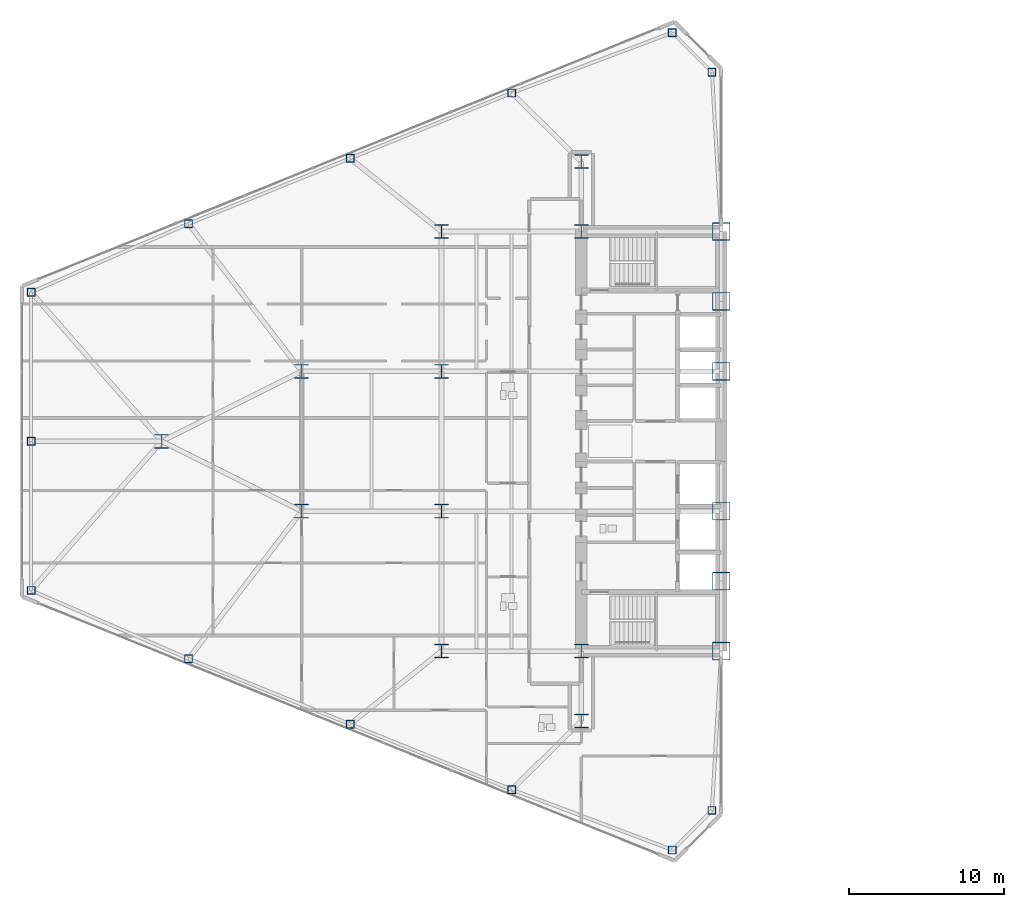
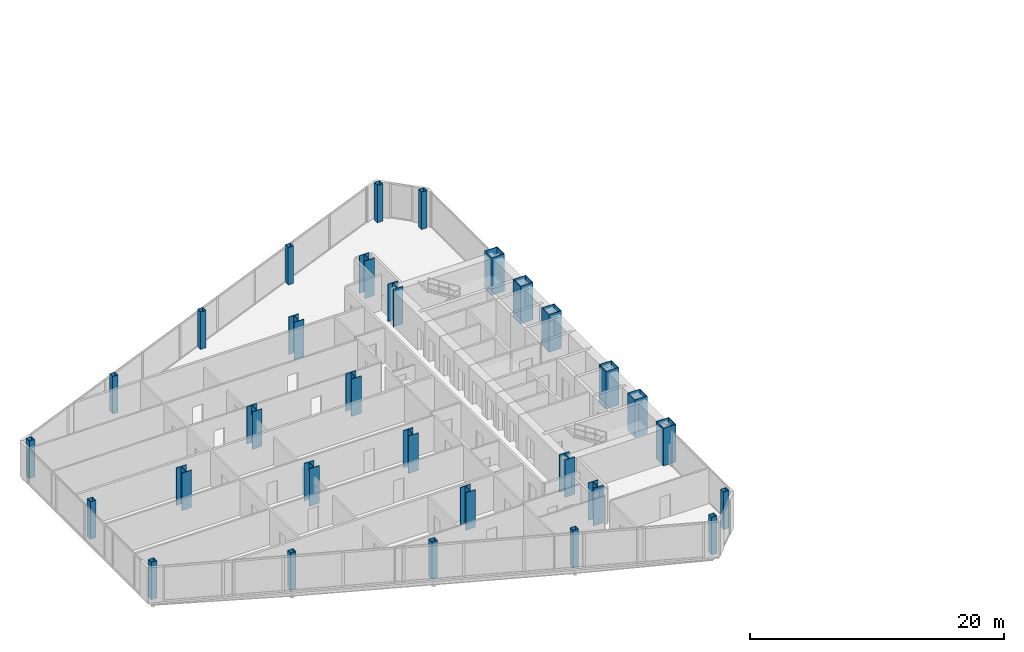
# One storey, part 1 of 25: 30 columns.
"""IFC4 building model written with IfcOpenShell, lengths in metres."""

from ifc_helpers import new_model, si_unit, direction, frame, origin, origin_2d, place, context, subcontext, project, spatial, hollow_rectangle, i_section, extrude, source, transform, mapped, material, material_profile, profile_set, type_object, type_shapes, element, save


model = new_model("IFC4")

# Units and contexts
model_context = context("Model", 3, precision=1e-05, world=origin(), true_north=direction((0.0, 1.0)))
body_context = subcontext(model_context, "Body", "Model", "MODEL_VIEW")
ifc_project = project(units=[si_unit("LENGTHUNIT", "METRE"), si_unit("AREAUNIT", "SQUARE_METRE"), si_unit("VOLUMEUNIT", "CUBIC_METRE"), si_unit("PLANEANGLEUNIT", "RADIAN"), si_unit("MASSUNIT", "GRAM", prefix="KILO")], contexts=[model_context])

# Site, building, storey
site_placement = place(None, origin())
site = spatial("IfcSite", under=ifc_project, at=site_placement, CompositionType="ELEMENT")
building_placement = place(site_placement, origin())
building = spatial("IfcBuilding", under=site, at=building_placement, Name="Seokmaru Belvedere", CompositionType="ELEMENT")
storey_placement = place(building_placement, frame((0.0, 0.0, 58.5)))
storey = spatial("IfcBuildingStorey", under=building, at=storey_placement, Name="L15", CompositionType="ELEMENT", Elevation=58.5)

# Columns
ifc_material_1 = material(Name="Steel HSA650 (650 MPa)", Category="steel")
ifc_material_profile_1 = material_profile(ifc_material_1, hollow_rectangle(XDim=1.14990234375, YDim=1.14990234375, WallThickness=0.048095703125, at=origin_2d()), Name="BOX-1150x1150x48")
ifc_profile_set_1 = profile_set([ifc_material_profile_1], Name="Steel HSA650 (650 MPa)")
column_type_1 = type_object("IfcColumnType", Name="Portal Spine Column BOX-1150", PredefinedType="COLUMN", material=ifc_profile_set_1)
shared_shape_1 = source(origin(), body_context, "Body", "SweptSolid", [
    extrude(hollow_rectangle(XDim=1.14990234375, YDim=1.14990234375, WallThickness=0.048095703125, at=origin_2d()), origin(), (0.0, 0.0, 1.0), 3.60009765625),
])
type_shapes(column_type_1, [shared_shape_1])
for number, where, z_axis, x_axis, name in (
    (1, (-27.5, -13.5, 0.0), (0.0, 0.0, 1.0), (1.0, 0.0, 0.0), "L15 Column WS1"),
    (2, (-27.5, -9.0, 0.0), (0.0, 0.0, 1.0), (1.0, 0.0, 0.0), "L15 Column WS2"),
    (3, (-27.5, -4.5, 0.0), (0.0, 0.0, 1.0), (1.0, 0.0, 0.0), "L15 Column WS3"),
    (4, (-27.5, 4.5, 0.0), (0.0, 0.0, 1.0), (1.0, 0.0, 0.0), "L15 Column WS4"),
    (5, (-27.5, 9.0, 0.0), (0.0, 0.0, 1.0), (1.0, 0.0, 0.0), "L15 Column WS5"),
    (6, (-27.5, 13.5, 0.0), (0.0, 0.0, 1.0), (1.0, 0.0, 0.0), "L15 Column WS6"),
):
    element("IfcColumn", number, at=place(storey_placement, frame(where, z_axis=z_axis, x_axis=x_axis)), inside=storey, type_object=column_type_1, Name=name, PredefinedType="COLUMN", context=body_context, shape_type="MappedRepresentation", body=[
        mapped(shared_shape_1, transform((0.0, 0.0, 0.0), scale=1.0)),
    ])
ifc_material_profile_2 = material_profile(ifc_material_1, i_section(OverallWidth=0.89990234375, OverallDepth=0.89990234375, WebThickness=0.035888671875, FlangeThickness=0.054931640625, at=origin_2d()), Name="H-900x900x36x55")
ifc_profile_set_2 = profile_set([ifc_material_profile_2], Name="Steel HSA650 (650 MPa)")
column_type_2 = type_object("IfcColumnType", Name="Lower Interior Column H-900", PredefinedType="COLUMN", material=ifc_profile_set_2)
shared_shape_2 = source(origin(), body_context, "Body", "SweptSolid", [
    extrude(i_section(OverallWidth=0.89990234375, OverallDepth=0.89990234375, WebThickness=0.035888671875, FlangeThickness=0.054931640625, at=origin_2d()), origin(), (0.0, 0.0, 1.0), 3.60009765625),
])
type_shapes(column_type_2, [shared_shape_2])
for number, where, z_axis, x_axis, name in (
    (7, (-36.5, -18.0, 0.0), (0.0, 0.0, 1.0), (1.0, 0.0, 0.0), "L15 Column WC1"),
    (8, (-36.5, -13.5, 0.0), (0.0, 0.0, 1.0), (1.0, 0.0, 0.0), "L15 Column WC2"),
    (9, (-36.5, 13.5, 0.0), (0.0, 0.0, 1.0), (1.0, 0.0, 0.0), "L15 Column WC3"),
    (10, (-36.5, 18.0, 0.0), (0.0, 0.0, 1.0), (1.0, 0.0, 0.0), "L15 Column WC4"),
    (11, (-45.5, -13.5, 0.0), (0.0, 0.0, 1.0), (1.0, 0.0, 0.0), "L15 Column WG5_1"),
    (12, (-45.5, -4.5, 0.0), (0.0, 0.0, 1.0), (1.0, 0.0, 0.0), "L15 Column WG5_2"),
    (13, (-45.5, 4.5, 0.0), (0.0, 0.0, 1.0), (1.0, 0.0, 0.0), "L15 Column WG5_3"),
    (14, (-45.5, 13.5, 0.0), (0.0, 0.0, 1.0), (1.0, 0.0, 0.0), "L15 Column WG5_4"),
    (15, (-54.5, -4.5, 0.0), (0.0, 0.0, 1.0), (1.0, 0.0, 0.0), "L15 Column WG4P_1"),
    (16, (-54.5, 4.5, 0.0), (0.0, 0.0, 1.0), (1.0, 0.0, 0.0), "L15 Column WG4P_2"),
    (17, (-63.5, 0.0, 0.0), (0.0, 0.0, 1.0), (1.0, 0.0, 0.0), "L15 Column WG3P_1"),
):
    element("IfcColumn", number, at=place(storey_placement, frame(where, z_axis=z_axis, x_axis=x_axis)), inside=storey, type_object=column_type_2, Name=name, PredefinedType="COLUMN", context=body_context, shape_type="MappedRepresentation", body=[
        mapped(shared_shape_2, transform((0.0, 0.0, 0.0), scale=1.0)),
    ])
ifc_material_2 = material(Name="Steel SM355 (355 MPa)", Category="steel")
ifc_material_profile_3 = material_profile(ifc_material_2, hollow_rectangle(XDim=0.5, YDim=0.5, WallThickness=0.02001953125, at=origin_2d()), Name="HSS-500x500x20")
ifc_profile_set_3 = profile_set([ifc_material_profile_3], Name="Steel SM355 (355 MPa)")
column_type_3 = type_object("IfcColumnType", Name="Perimeter Facet Column HSS-500", PredefinedType="COLUMN", material=ifc_profile_set_3)
shared_shape_3 = source(origin(), body_context, "Body", "SweptSolid", [
    extrude(hollow_rectangle(XDim=0.5, YDim=0.5, WallThickness=0.02001953125, at=origin_2d()), origin(), (0.0, 0.0, 1.0), 3.60009765625),
])
type_shapes(column_type_3, [shared_shape_3])
for number, where, z_axis, x_axis, name in (
    (18, (-28.10009765625, -23.75146484375, 0.0), (0.0, 0.0, 1.0), (1.0, 0.0, 0.0), "L15 Column WF1"),
    (19, (-28.10009765625, 23.75146484375, 0.0), (0.0, 0.0, 1.0), (1.0, 0.0, 0.0), "L15 Column WF2"),
    (20, (-30.643310546875, 26.294677734375, 0.0), (0.0, 0.0, 1.0), (1.0, 0.0, 0.0), "L15 Column WF3"),
    (21, (-71.89990234375, 9.595703125, 0.0), (0.0, 0.0, 1.0), (1.0, 0.0, 0.0), "L15 Column WF4"),
    (22, (-71.89990234375, -9.595703125, 0.0), (0.0, 0.0, 1.0), (1.0, 0.0, 0.0), "L15 Column WF5"),
    (23, (-30.643310546875, -26.294677734375, 0.0), (0.0, 0.0, 1.0), (1.0, 0.0, 0.0), "L15 Column WF6"),
    (24, (-40.977294921875, -22.4140625, 0.0), (0.0, 0.0, 1.0), (1.0, 0.0, 0.0), "L15 Column WFLK_S1"),
    (25, (-51.378173828125, -18.2041015625, 0.0), (0.0, 0.0, 1.0), (1.0, 0.0, 0.0), "L15 Column WFLK_S2"),
    (26, (-61.779052734375, -13.994140625, 0.0), (0.0, 0.0, 1.0), (1.0, 0.0, 0.0), "L15 Column WFLK_S3"),
    (27, (-40.977294921875, 22.4140625, 0.0), (0.0, 0.0, 1.0), (1.0, 0.0, 0.0), "L15 Column WFLK_N1"),
    (28, (-51.378173828125, 18.2041015625, 0.0), (0.0, 0.0, 1.0), (1.0, 0.0, 0.0), "L15 Column WFLK_N2"),
    (29, (-61.779052734375, 13.994140625, 0.0), (0.0, 0.0, 1.0), (1.0, 0.0, 0.0), "L15 Column WFLK_N3"),
    (30, (-71.89990234375, 0.0, 0.0), (0.0, 0.0, 1.0), (1.0, 0.0, 0.0), "L15 Column WF_APXM"),
):
    element("IfcColumn", number, at=place(storey_placement, frame(where, z_axis=z_axis, x_axis=x_axis)), inside=storey, type_object=column_type_3, Name=name, PredefinedType="COLUMN", context=body_context, shape_type="MappedRepresentation", body=[
        mapped(shared_shape_3, transform((0.0, 0.0, 0.0), scale=1.0)),
    ])

save(model, "model.ifc")
